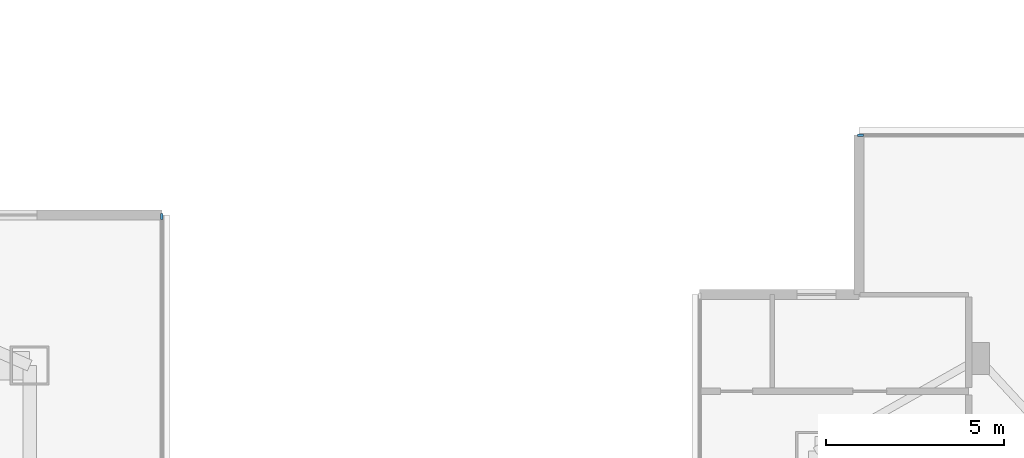
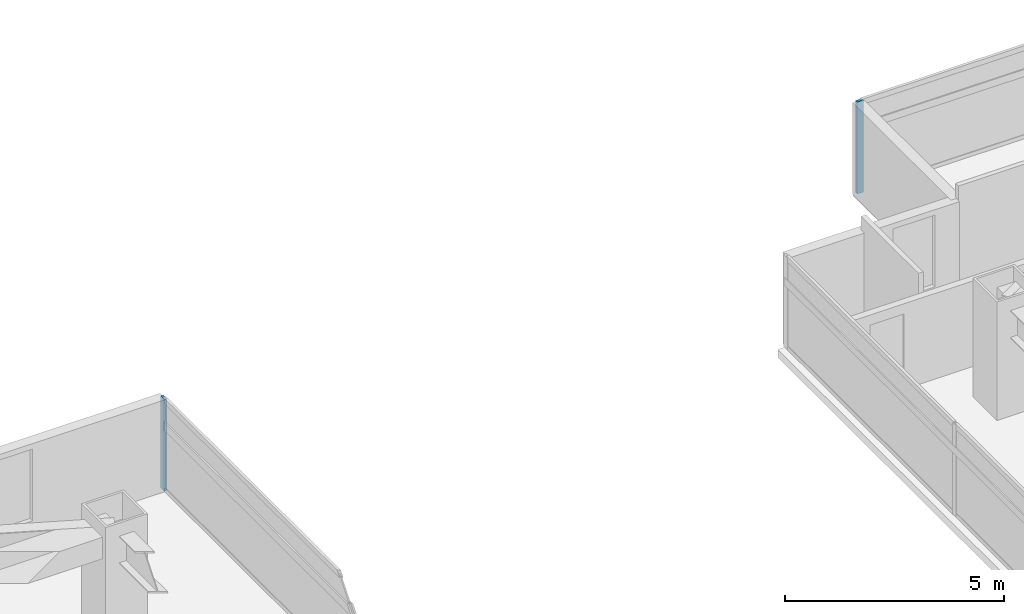
# One storey, part 8 of 24: 2 members, 2 elements without a shape of their own.
"""IFC4 building model written with IfcOpenShell, lengths in metres."""

from ifc_helpers import new_model, si_unit, direction, frame, origin, origin_2d, place, context, subcontext, project, spatial, rectangle, extrude, material, material_profile, profile_set, type_object, element, aggregate, save


model = new_model("IFC4")

# Units and contexts
model_context = context("Model", 3, precision=1e-05, world=origin(), true_north=direction((0.0, 1.0)))
body_context = subcontext(model_context, "Body", "Model", "MODEL_VIEW")
ifc_project = project(units=[si_unit("LENGTHUNIT", "METRE"), si_unit("AREAUNIT", "SQUARE_METRE"), si_unit("VOLUMEUNIT", "CUBIC_METRE"), si_unit("PLANEANGLEUNIT", "RADIAN"), si_unit("MASSUNIT", "GRAM", prefix="KILO")], contexts=[model_context])

# Site, building, storey
site_placement = place(None, origin())
site = spatial("IfcSite", under=ifc_project, at=site_placement, CompositionType="ELEMENT")
building_placement = place(site_placement, origin())
building = spatial("IfcBuilding", under=site, at=building_placement, Name="Mirazonda Arch Towers", CompositionType="ELEMENT")
storey_placement = place(building_placement, frame((0.0, 0.0, 144.5)))
storey = spatial("IfcBuildingStorey", under=building, at=storey_placement, Name="L41", CompositionType="ELEMENT", Elevation=144.5)

# Curtain wall, member
ifc_material_1 = material(Name="Anodised Aluminium and Low-E Glass", Category="aluminium")
curtain_wall_type = type_object("IfcCurtainWallType", Name="CW-HTL-UNIT", PredefinedType="NOTDEFINED", material=ifc_material_1)
curtain_wall_1_placement = place(storey_placement, origin())
curtain_wall_1 = element("IfcCurtainWall", 1, at=curtain_wall_1_placement, inside=storey, type_object=curtain_wall_type, Name="L41 T1 E Facade CW-L41-T1-E", PredefinedType="NOTDEFINED")
ifc_material_2 = material(Name="Anodised Aluminium Alloy", Category="aluminium")
ifc_material_profile = material_profile(ifc_material_2, rectangle(XDim=0.074951171875, YDim=0.1650390625, at=origin_2d()), Name="ALU-MULL-75x165")
ifc_profile_set = profile_set([ifc_material_profile], Name="Anodised Aluminium Alloy")
member_type = type_object("IfcMemberType", Name="MULL-CW-HTL-UNIT", PredefinedType="MULLION", material=ifc_profile_set)
member_1_placement = place(storey_placement, frame((42.6201171875, 41.79638671875, 0.0), z_axis=(0.0, 0.0, 1.0), x_axis=(-1.0, 0.0, 0.0)))
member_1 = element("IfcMember", 2, at=member_1_placement, type_object=member_type, Name="CW-112 mullion 4", PredefinedType="MULLION", context=body_context, shape_type="SweptSolid", body=[
    extrude(rectangle(XDim=0.074951171875, YDim=0.1650390625, at=origin_2d()), origin(), (0.0, 0.0, 1.0), 2.56005859375),
])
aggregate(curtain_wall_1, [member_1])

curtain_wall_2_placement = place(storey_placement, origin())
curtain_wall_2 = element("IfcCurtainWall", 3, at=curtain_wall_2_placement, inside=storey, type_object=curtain_wall_type, Name="L41 T2 N Facade CW-L41-T2-N", PredefinedType="NOTDEFINED")
member_2_placement = place(storey_placement, frame((62.27490234375, 44.08544921875, 0.0), z_axis=(0.0, 0.0, 1.0), x_axis=(0.0, 1.0, 0.0)))
member_2 = element("IfcMember", 4, at=member_2_placement, type_object=member_type, Name="CW-112 mullion 1", PredefinedType="MULLION", context=body_context, shape_type="SweptSolid", body=[
    extrude(rectangle(XDim=0.074951171875, YDim=0.1650390625, at=origin_2d()), origin(), (0.0, 0.0, 1.0), 2.56005859375),
])
aggregate(curtain_wall_2, [member_2])

save(model, "model.ifc")
